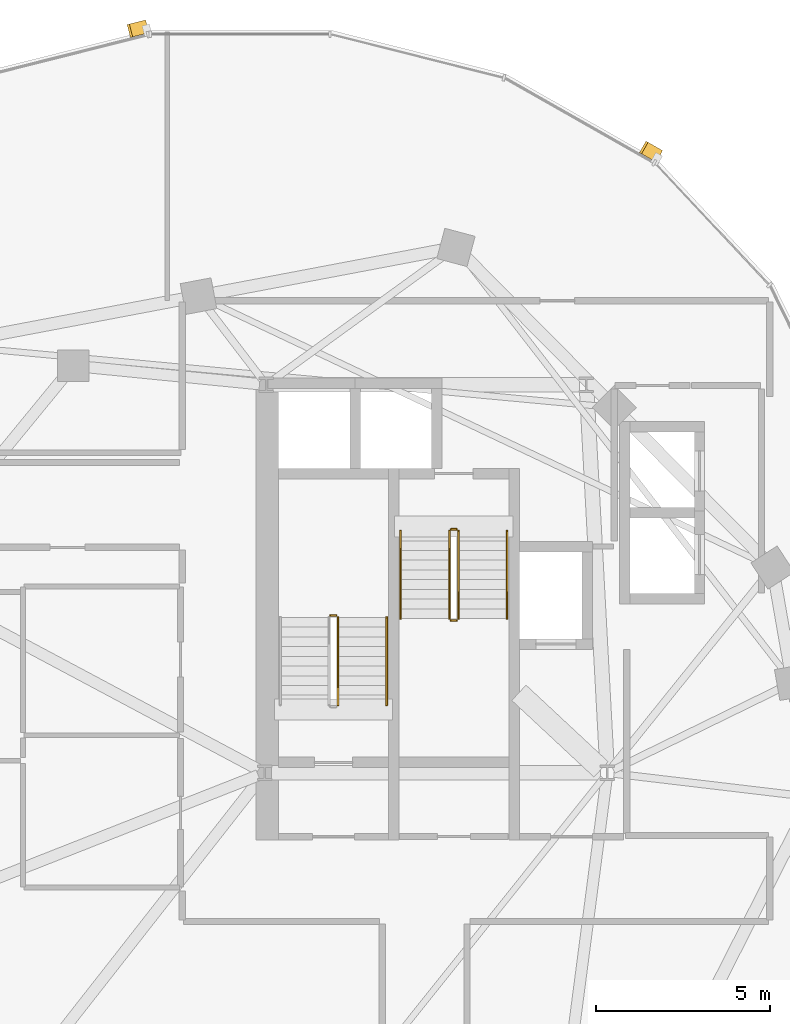
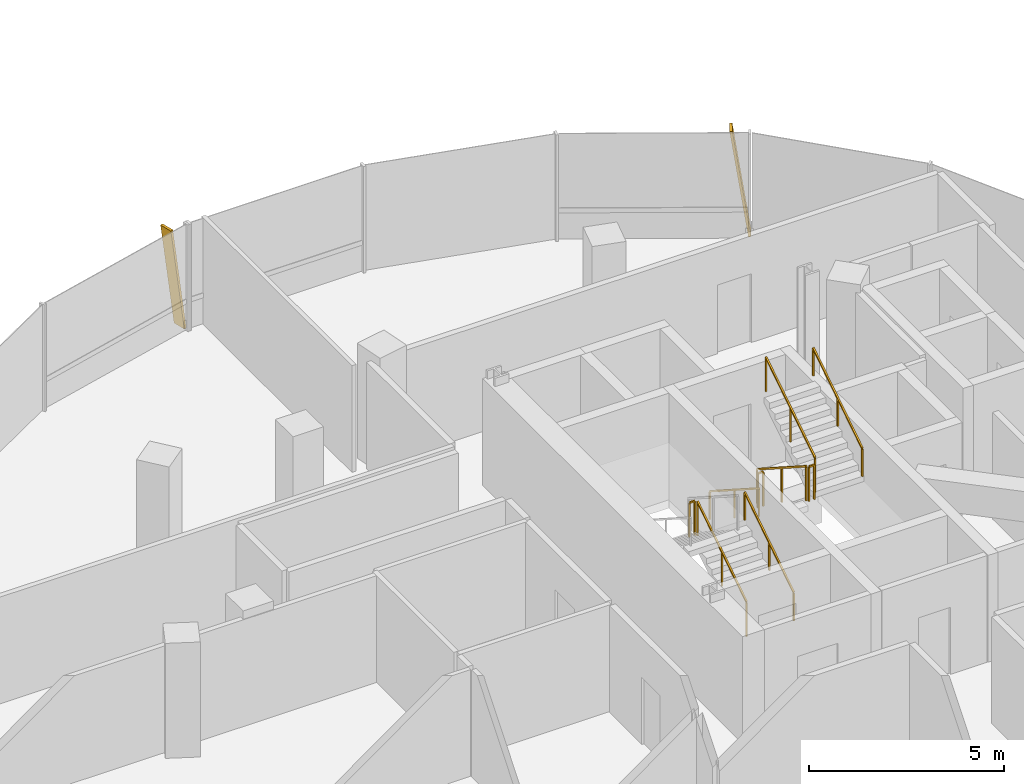
# One storey, part 23 of 25: 9 railings, 2 shading devices.
"""IFC4 building model written with IfcOpenShell, lengths in metres."""

from ifc_helpers import new_model, si_unit, direction, frame, origin, origin_2d, place, context, subcontext, project, spatial, rectangle, extrude, material, material_profile, profile_set, type_object, element, save


model = new_model("IFC4")

# Units and contexts
model_context = context("Model", 3, precision=1e-05, world=origin(), true_north=direction((0.0, 1.0)))
body_context = subcontext(model_context, "Body", "Model", "MODEL_VIEW")
ifc_project = project(units=[si_unit("LENGTHUNIT", "METRE"), si_unit("AREAUNIT", "SQUARE_METRE"), si_unit("VOLUMEUNIT", "CUBIC_METRE"), si_unit("PLANEANGLEUNIT", "RADIAN"), si_unit("MASSUNIT", "GRAM", prefix="KILO"), si_unit("THERMODYNAMICTEMPERATUREUNIT", "KELVIN"), si_unit("POWERUNIT", "WATT")], contexts=[model_context])

# Site, building, storey
site_placement = place(None, origin())
site = spatial("IfcSite", under=ifc_project, at=site_placement, CompositionType="ELEMENT")
building_placement = place(site_placement, origin())
building = spatial("IfcBuilding", under=site, at=building_placement, Name="Cundina Bronze Exchange", CompositionType="ELEMENT")
storey_placement = place(building_placement, frame((0.0, 0.0, 213.39990234375)))
storey = spatial("IfcBuildingStorey", under=building, at=storey_placement, Name="L56", CompositionType="ELEMENT", Elevation=213.39990234375)

# Railings
ifc_material_1 = material(Name="Steel ASTM A36 Painted", Category="steel")
railing_type_1 = type_object("IfcRailingType", Name="RLG-HND-900", PredefinedType="HANDRAIL", material=ifc_material_1)
railing_1_placement = place(storey_placement, frame((-27.7900390625, 5.85009765625, 0.18017578125)))
element("IfcRailing", 1, at=railing_1_placement, inside=storey, type_object=railing_type_1, Name="L56 ST-W1 stair handrail 1", PredefinedType="HANDRAIL", context=body_context, shape_type="SweptSolid", body=[
    extrude(rectangle(XDim=0.048095703125, YDim=0.048095703125, at=origin_2d()), frame((0.0, 0.0, 0.8759765625), z_axis=(0.0, 0.841199657755, 0.540724639528), x_axis=(-1.0, 0.0, 0.0)), (0.0, 0.0, 1.0), 2.995849609375),
    extrude(rectangle(XDim=0.0419921875, YDim=0.0419921875, at=origin_2d()), origin(), (0.0, 0.0, 1.0), 0.851806640625),
    extrude(rectangle(XDim=0.0419921875, YDim=0.0419921875, at=origin_2d()), frame((0.0, 1.260009765625, 0.81005859375)), (0.0, 0.0, 1.0), 0.851806640625),
    extrude(rectangle(XDim=0.0419921875, YDim=0.0419921875, at=origin_2d()), frame((0.0, 2.52001953125, 1.619873046875)), (0.0, 0.0, 1.0), 0.851806640625),
])
railing_2_placement = place(storey_placement, frame((-27.389892578125, 10.85009765625, 0.18017578125)))
element("IfcRailing", 2, at=railing_2_placement, inside=storey, type_object=railing_type_1, Name="L56 ST-W2 stair handrail 1", PredefinedType="HANDRAIL", context=body_context, shape_type="SweptSolid", body=[
    extrude(rectangle(XDim=0.048095703125, YDim=0.048095703125, at=origin_2d()), frame((0.0, 0.0, 0.8759765625), z_axis=(0.0, -0.841199657755, 0.540724639528), x_axis=(1.0, 0.0, 0.0)), (0.0, 0.0, 1.0), 2.995849609375),
    extrude(rectangle(XDim=0.0419921875, YDim=0.0419921875, at=origin_2d()), origin(), (0.0, 0.0, 1.0), 0.851806640625),
    extrude(rectangle(XDim=0.0419921875, YDim=0.0419921875, at=origin_2d()), frame((0.0, -1.260009765625, 0.81005859375)), (0.0, 0.0, 1.0), 0.851806640625),
    extrude(rectangle(XDim=0.0419921875, YDim=0.0419921875, at=origin_2d()), frame((0.0, -2.52001953125, 1.619873046875)), (0.0, 0.0, 1.0), 0.851806640625),
])
railing_3_placement = place(storey_placement, frame((-24.330078125, 8.330078125, 1.97998046875)))
element("IfcRailing", 3, at=railing_3_placement, inside=storey, type_object=railing_type_1, Name="L56 ST-W2 stair handrail 2", PredefinedType="HANDRAIL", context=body_context, shape_type="SweptSolid", body=[
    extrude(rectangle(XDim=0.048095703125, YDim=0.048095703125, at=origin_2d()), frame((0.0, 0.0, 0.8759765625), z_axis=(0.0, 0.841162588446, 0.540782303519), x_axis=(-1.0, 0.0, 0.0)), (0.0, 0.0, 1.0), 2.995849609375),
    extrude(rectangle(XDim=0.0419921875, YDim=0.0419921875, at=origin_2d()), origin(), (0.0, 0.0, 1.0), 0.851806640625),
    extrude(rectangle(XDim=0.0419921875, YDim=0.0419921875, at=origin_2d()), frame((0.0, 1.260009765625, 0.81005859375)), (0.0, 0.0, 1.0), 0.851806640625),
    extrude(rectangle(XDim=0.0419921875, YDim=0.0419921875, at=origin_2d()), frame((0.0, 2.52001953125, 1.6201171875)), (0.0, 0.0, 1.0), 0.851806640625),
])
railing_type_2 = type_object("IfcRailingType", Name="RLG-STG-1100", PredefinedType="GUARDRAIL", material=ifc_material_1)
railing_4_placement = place(storey_placement, frame((-29.18994140625, 5.85009765625, 0.18017578125)))
element("IfcRailing", 4, at=railing_4_placement, inside=storey, type_object=railing_type_2, Name="L56 ST-W1 stair guard 1", PredefinedType="GUARDRAIL", context=body_context, shape_type="SweptSolid", body=[
    extrude(rectangle(XDim=0.048095703125, YDim=0.048095703125, at=origin_2d()), frame((0.0, 0.0, 1.076171875), z_axis=(0.0, 0.841199657755, 0.540724639528), x_axis=(-1.0, 0.0, 0.0)), (0.0, 0.0, 1.0), 2.995849609375),
    extrude(rectangle(XDim=0.0419921875, YDim=0.0419921875, at=origin_2d()), origin(), (0.0, 0.0, 1.0), 1.052001953125),
    extrude(rectangle(XDim=0.0419921875, YDim=0.0419921875, at=origin_2d()), frame((0.0, 1.260009765625, 0.81005859375)), (0.0, 0.0, 1.0), 1.052001953125),
    extrude(rectangle(XDim=0.0419921875, YDim=0.0419921875, at=origin_2d()), frame((0.0, 2.52001953125, 1.619873046875)), (0.0, 0.0, 1.0), 1.052001953125),
])
railing_5_placement = place(storey_placement, frame((-29.239990234375, 8.419921875, 1.800048828125)))
element("IfcRailing", 5, at=railing_5_placement, inside=storey, type_object=railing_type_2, Name="L56 ST-W1 stair guard 2", PredefinedType="GUARDRAIL", context=body_context, shape_type="SweptSolid", body=[
    extrude(rectangle(XDim=0.048095703125, YDim=0.048095703125, at=origin_2d()), frame((0.0, 0.0, 1.076171875), z_axis=(-1.0, 0.0, 0.0), x_axis=(0.0, -1.0, 0.0)), (0.0, 0.0, 1.0), 0.159912109375),
    extrude(rectangle(XDim=0.0419921875, YDim=0.0419921875, at=origin_2d()), origin(), (0.0, 0.0, 1.0), 1.052001953125),
    extrude(rectangle(XDim=0.0419921875, YDim=0.0419921875, at=origin_2d()), frame((-0.159912109375, 0.0, 0.0)), (0.0, 0.0, 1.0), 1.052001953125),
])
railing_6_placement = place(storey_placement, frame((-25.989990234375, 10.85009765625, 0.18017578125)))
element("IfcRailing", 6, at=railing_6_placement, inside=storey, type_object=railing_type_2, Name="L56 ST-W2 stair guard 1", PredefinedType="GUARDRAIL", context=body_context, shape_type="SweptSolid", body=[
    extrude(rectangle(XDim=0.048095703125, YDim=0.048095703125, at=origin_2d()), frame((0.0, 0.0, 1.076171875), z_axis=(0.0, -0.841199657755, 0.540724639528), x_axis=(1.0, 0.0, 0.0)), (0.0, 0.0, 1.0), 2.995849609375),
    extrude(rectangle(XDim=0.0419921875, YDim=0.0419921875, at=origin_2d()), origin(), (0.0, 0.0, 1.0), 1.052001953125),
    extrude(rectangle(XDim=0.0419921875, YDim=0.0419921875, at=origin_2d()), frame((0.0, -1.260009765625, 0.81005859375)), (0.0, 0.0, 1.0), 1.052001953125),
    extrude(rectangle(XDim=0.0419921875, YDim=0.0419921875, at=origin_2d()), frame((0.0, -2.52001953125, 1.619873046875)), (0.0, 0.0, 1.0), 1.052001953125),
])
railing_7_placement = place(storey_placement, frame((-25.93994140625, 8.280029296875, 1.800048828125)))
element("IfcRailing", 7, at=railing_7_placement, inside=storey, type_object=railing_type_2, Name="L56 ST-W2 stair guard 2", PredefinedType="GUARDRAIL", context=body_context, shape_type="SweptSolid", body=[
    extrude(rectangle(XDim=0.048095703125, YDim=0.048095703125, at=origin_2d()), frame((0.0, 0.0, 1.076171875), z_axis=(1.0, 0.0, 0.0), x_axis=(0.0, 1.0, 0.0)), (0.0, 0.0, 1.0), 0.159912109375),
    extrude(rectangle(XDim=0.0419921875, YDim=0.0419921875, at=origin_2d()), origin(), (0.0, 0.0, 1.0), 1.052001953125),
    extrude(rectangle(XDim=0.0419921875, YDim=0.0419921875, at=origin_2d()), frame((0.159912109375, 0.0, 0.0)), (0.0, 0.0, 1.0), 1.052001953125),
])
railing_8_placement = place(storey_placement, frame((-25.72998046875, 8.330078125, 1.97998046875)))
element("IfcRailing", 8, at=railing_8_placement, inside=storey, type_object=railing_type_2, Name="L56 ST-W2 stair guard 3", PredefinedType="GUARDRAIL", context=body_context, shape_type="SweptSolid", body=[
    extrude(rectangle(XDim=0.048095703125, YDim=0.048095703125, at=origin_2d()), frame((0.0, 0.0, 1.076171875), z_axis=(0.0, 0.841162588446, 0.540782303519), x_axis=(-1.0, 0.0, 0.0)), (0.0, 0.0, 1.0), 2.995849609375),
    extrude(rectangle(XDim=0.0419921875, YDim=0.0419921875, at=origin_2d()), origin(), (0.0, 0.0, 1.0), 1.052001953125),
    extrude(rectangle(XDim=0.0419921875, YDim=0.0419921875, at=origin_2d()), frame((0.0, 1.260009765625, 0.81005859375)), (0.0, 0.0, 1.0), 1.052001953125),
    extrude(rectangle(XDim=0.0419921875, YDim=0.0419921875, at=origin_2d()), frame((0.0, 2.52001953125, 1.6201171875)), (0.0, 0.0, 1.0), 1.052001953125),
])
railing_9_placement = place(storey_placement, frame((-25.93994140625, 10.89990234375, 0.0)))
element("IfcRailing", 9, at=railing_9_placement, inside=storey, type_object=railing_type_2, Name="L56 ST-W2 stair guard 4", PredefinedType="GUARDRAIL", context=body_context, shape_type="SweptSolid", body=[
    extrude(rectangle(XDim=0.048095703125, YDim=0.048095703125, at=origin_2d()), frame((0.0, 0.0, 1.076171875), z_axis=(1.0, 0.0, 0.0), x_axis=(0.0, 1.0, 0.0)), (0.0, 0.0, 1.0), 0.159912109375),
    extrude(rectangle(XDim=0.0419921875, YDim=0.0419921875, at=origin_2d()), origin(), (0.0, 0.0, 1.0), 1.052001953125),
    extrude(rectangle(XDim=0.0419921875, YDim=0.0419921875, at=origin_2d()), frame((0.159912109375, 0.0, 0.0)), (0.0, 0.0, 1.0), 1.052001953125),
])

# Shading devices
ifc_material_2 = material(Name="Anodised Bronze Aluminium 6063-T6", Category="aluminium")
ifc_material_profile = material_profile(ifc_material_2, rectangle(XDim=0.070068359375, YDim=0.3798828125, at=origin_2d()), Name="FIN70X380", Category="aluminium")
ifc_profile_set = profile_set([ifc_material_profile], Name="Anodised Bronze Aluminium 6063-T6")
shading_device_type = type_object("IfcShadingDeviceType", Name="SHD-FIN-BRZ380", PredefinedType="USERDEFINED", material=ifc_profile_set)
for number, where, z_axis, x_axis, name in (
    (10, (-19.984375, 21.635498046875, 0.02001953125), (-0.125189514072, 0.071087145125, 0.989582843103), (0.860526986551, -0.488638423358, 0.143964567292), "L56 Diagonal Bronze Solar Fin 5"),
    (11, (-34.705810546875, 25.344482421875, 0.02001953125), (-0.139611891367, -0.03514090606, 0.989582556693), (0.959650042543, 0.24154799183, 0.143966536007), "L56 Diagonal Bronze Solar Fin 1"),
):
    element("IfcShadingDevice", number, at=place(storey_placement, frame(where, z_axis=z_axis, x_axis=x_axis)), inside=storey, type_object=shading_device_type, Name=name, ObjectType="FIN", PredefinedType="USERDEFINED", context=body_context, shape_type="SweptSolid", body=[
        extrude(rectangle(XDim=0.070068359375, YDim=0.3798828125, at=origin_2d()), origin(), (0.0, 0.0, 1.0), 3.334716796875),
    ])

save(model, "model.ifc")
